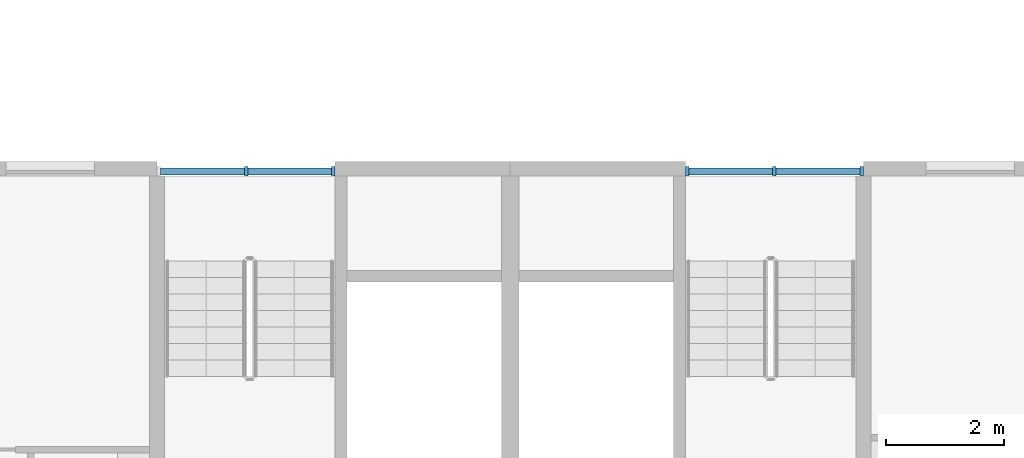
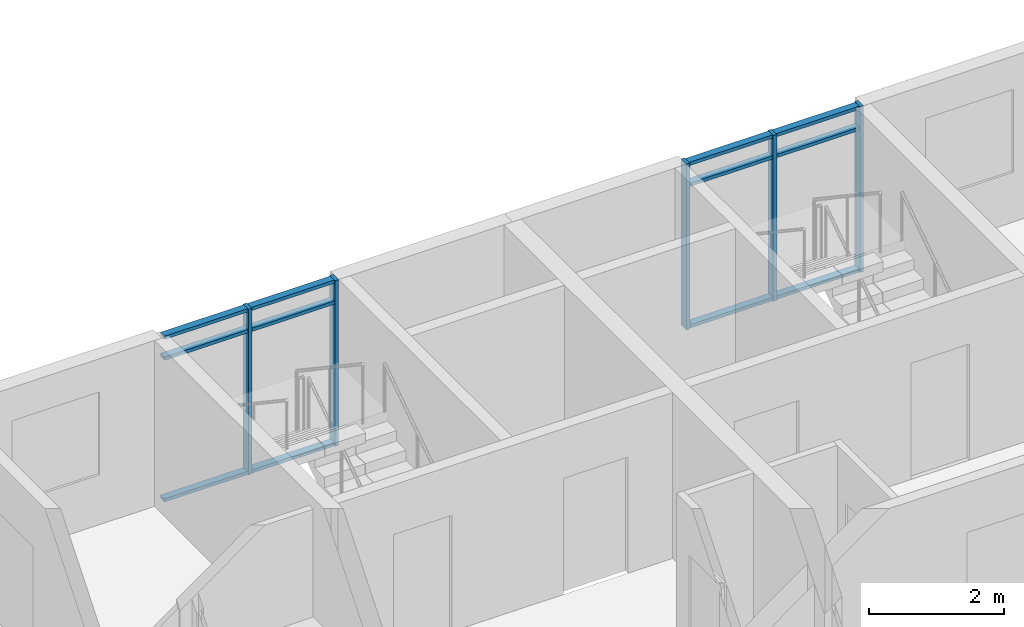
# One storey, part 22 of 94: 17 members, 2 elements without a shape of their own.
"""IFC4 building model written with IfcOpenShell, lengths in metres."""

from ifc_helpers import new_model, si_unit, direction, frame, origin, origin_2d, place, context, subcontext, project, spatial, rectangle, extrude, material, material_profile, profile_set, type_object, element, aggregate, save


model = new_model("IFC4")

# Units and contexts
model_context = context("Model", 3, precision=1e-05, world=origin(), true_north=direction((0.0, 1.0)))
body_context = subcontext(model_context, "Body", "Model", "MODEL_VIEW")
ifc_project = project(units=[si_unit("LENGTHUNIT", "METRE"), si_unit("AREAUNIT", "SQUARE_METRE"), si_unit("VOLUMEUNIT", "CUBIC_METRE"), si_unit("PLANEANGLEUNIT", "RADIAN"), si_unit("MASSUNIT", "GRAM", prefix="KILO")], contexts=[model_context])

# Site, building, storey
site_placement = place(None, origin())
site = spatial("IfcSite", under=ifc_project, at=site_placement, CompositionType="ELEMENT")
building_placement = place(site_placement, origin())
building = spatial("IfcBuilding", under=site, at=building_placement, Name="Ridgestep Commons", CompositionType="ELEMENT")
storey_placement = place(building_placement, frame((0.0, 0.0, 21.0)))
storey = spatial("IfcBuildingStorey", under=building, at=storey_placement, Name="L07", CompositionType="ELEMENT", Elevation=21.0)

# Curtain wall, members
ifc_material_1 = material(Name="Aluminium 6063-T6 and glass", Category="aluminium")
curtain_wall_type = type_object("IfcCurtainWallType", Name="Curtain wall stair strip", PredefinedType="NOTDEFINED", material=ifc_material_1)
curtain_wall_1_placement = place(storey_placement, origin())
curtain_wall_1 = element("IfcCurtainWall", 1, at=curtain_wall_1_placement, inside=storey, type_object=curtain_wall_type, Name="Curtain wall C5C level 07", PredefinedType="NOTDEFINED")
ifc_material_2 = material(Name="Aluminium 6063-T6", Category="aluminium")
ifc_material_profile_1 = material_profile(ifc_material_2, rectangle(XDim=0.159912109375, YDim=0.06005859375, at=origin_2d()), Name="Mullion 60 x 160")
ifc_profile_set_1 = profile_set([ifc_material_profile_1], Name="Aluminium 6063-T6")
member_type_1 = type_object("IfcMemberType", Name="Mullion 60 x 160", PredefinedType="MULLION", material=ifc_profile_set_1)
member_1_placement = place(storey_placement, frame((226.3125, 77.080078125, 0.0), z_axis=(0.0, 0.0, 1.0), x_axis=(0.0, 1.0, 0.0)))
member_1 = element("IfcMember", 2, at=member_1_placement, type_object=member_type_1, Name="CW1 mullion 2", PredefinedType="MULLION", context=body_context, shape_type="SweptSolid", body=[
    extrude(rectangle(XDim=0.159912109375, YDim=0.06005859375, at=origin_2d()), origin(), (0.0, 0.0, 1.0), 3.0),
])
member_2_placement = place(storey_placement, frame((227.794921875, 77.080078125, 0.0), z_axis=(0.0, 0.0, 1.0), x_axis=(0.0, 1.0, 0.0)))
member_2 = element("IfcMember", 3, at=member_2_placement, type_object=member_type_1, Name="CW1 mullion 3", PredefinedType="MULLION", context=body_context, shape_type="SweptSolid", body=[
    extrude(rectangle(XDim=0.159912109375, YDim=0.06005859375, at=origin_2d()), origin(), (0.0, 0.0, 1.0), 3.0),
])

curtain_wall_2_placement = place(storey_placement, origin())
curtain_wall_2 = element("IfcCurtainWall", 4, at=curtain_wall_2_placement, inside=storey, type_object=curtain_wall_type, Name="Curtain wall C6C level 07", PredefinedType="NOTDEFINED")
member_3_placement = place(storey_placement, frame((233.804931640625, 77.080078125, 0.0), z_axis=(0.0, 0.0, 1.0), x_axis=(0.0, 1.0, 0.0)))
member_3 = element("IfcMember", 5, at=member_3_placement, type_object=member_type_1, Name="CW1 mullion 1", PredefinedType="MULLION", context=body_context, shape_type="SweptSolid", body=[
    extrude(rectangle(XDim=0.159912109375, YDim=0.06005859375, at=origin_2d()), origin(), (0.0, 0.0, 1.0), 3.0),
])
member_4_placement = place(storey_placement, frame((235.28759765625, 77.080078125, 0.0), z_axis=(0.0, 0.0, 1.0), x_axis=(0.0, 1.0, 0.0)))
member_4 = element("IfcMember", 6, at=member_4_placement, type_object=member_type_1, Name="CW1 mullion 2", PredefinedType="MULLION", context=body_context, shape_type="SweptSolid", body=[
    extrude(rectangle(XDim=0.159912109375, YDim=0.06005859375, at=origin_2d()), origin(), (0.0, 0.0, 1.0), 3.0),
])
member_5_placement = place(storey_placement, frame((236.77001953125, 77.080078125, 0.0), z_axis=(0.0, 0.0, 1.0), x_axis=(0.0, 1.0, 0.0)))
member_5 = element("IfcMember", 7, at=member_5_placement, type_object=member_type_1, Name="CW1 mullion 3", PredefinedType="MULLION", context=body_context, shape_type="SweptSolid", body=[
    extrude(rectangle(XDim=0.159912109375, YDim=0.06005859375, at=origin_2d()), origin(), (0.0, 0.0, 1.0), 3.0),
])

# Member
ifc_material_3 = material(Name="Aluminium 6063-T6", Category="aluminium")
ifc_material_profile_2 = material_profile(ifc_material_3, rectangle(XDim=0.1201171875, YDim=0.06005859375, at=origin_2d()), Name="Transom 60 x 120")
ifc_profile_set_2 = profile_set([ifc_material_profile_2], Name="Aluminium 6063-T6")
member_type_2 = type_object("IfcMemberType", Name="Transom 60 x 120", PredefinedType="USERDEFINED", material=ifc_profile_set_2)
member_6_placement = place(storey_placement, frame((224.860107421875, 77.080078125, 0.030029296875), z_axis=(1.0, 0.0, 0.0), x_axis=(0.0, 1.0, 0.0)))
member_6 = element("IfcMember", 8, at=member_6_placement, type_object=member_type_2, Name="CW1 transom 1.1", ObjectType="TRANSOM", PredefinedType="USERDEFINED", context=body_context, shape_type="SweptSolid", body=[
    extrude(rectangle(XDim=0.1201171875, YDim=0.06005859375, at=origin_2d()), origin(), (0.0, 0.0, 1.0), 1.42236328125),
])

member_7_placement = place(storey_placement, frame((224.860107421875, 77.080078125, 2.590087890625), z_axis=(1.0, 0.0, 0.0), x_axis=(0.0, 1.0, 0.0)))
member_7 = element("IfcMember", 9, at=member_7_placement, type_object=member_type_2, Name="CW1 transom 1.2", ObjectType="TRANSOM", PredefinedType="USERDEFINED", context=body_context, shape_type="SweptSolid", body=[
    extrude(rectangle(XDim=0.1201171875, YDim=0.06005859375, at=origin_2d()), origin(), (0.0, 0.0, 1.0), 1.42236328125),
])

member_8_placement = place(storey_placement, frame((224.860107421875, 77.080078125, 2.969970703125), z_axis=(1.0, 0.0, 0.0), x_axis=(0.0, 1.0, 0.0)))
member_8 = element("IfcMember", 10, at=member_8_placement, type_object=member_type_2, Name="CW1 transom 1.3", ObjectType="TRANSOM", PredefinedType="USERDEFINED", context=body_context, shape_type="SweptSolid", body=[
    extrude(rectangle(XDim=0.1201171875, YDim=0.06005859375, at=origin_2d()), origin(), (0.0, 0.0, 1.0), 1.42236328125),
])

member_9_placement = place(storey_placement, frame((226.342529296875, 77.080078125, 0.030029296875), z_axis=(1.0, 0.0, 0.0), x_axis=(0.0, 1.0, 0.0)))
member_9 = element("IfcMember", 11, at=member_9_placement, type_object=member_type_2, Name="CW1 transom 2.1", ObjectType="TRANSOM", PredefinedType="USERDEFINED", context=body_context, shape_type="SweptSolid", body=[
    extrude(rectangle(XDim=0.1201171875, YDim=0.06005859375, at=origin_2d()), origin(), (0.0, 0.0, 1.0), 1.42236328125),
])

member_10_placement = place(storey_placement, frame((226.342529296875, 77.080078125, 2.590087890625), z_axis=(1.0, 0.0, 0.0), x_axis=(0.0, 1.0, 0.0)))
member_10 = element("IfcMember", 12, at=member_10_placement, type_object=member_type_2, Name="CW1 transom 2.2", ObjectType="TRANSOM", PredefinedType="USERDEFINED", context=body_context, shape_type="SweptSolid", body=[
    extrude(rectangle(XDim=0.1201171875, YDim=0.06005859375, at=origin_2d()), origin(), (0.0, 0.0, 1.0), 1.42236328125),
])

member_11_placement = place(storey_placement, frame((226.342529296875, 77.080078125, 2.969970703125), z_axis=(1.0, 0.0, 0.0), x_axis=(0.0, 1.0, 0.0)))
member_11 = element("IfcMember", 13, at=member_11_placement, type_object=member_type_2, Name="CW1 transom 2.3", ObjectType="TRANSOM", PredefinedType="USERDEFINED", context=body_context, shape_type="SweptSolid", body=[
    extrude(rectangle(XDim=0.1201171875, YDim=0.06005859375, at=origin_2d()), origin(), (0.0, 0.0, 1.0), 1.42236328125),
])

aggregate(curtain_wall_1, [member_1, member_2, member_6, member_7, member_8, member_9, member_10, member_11])

member_12_placement = place(storey_placement, frame((233.8349609375, 77.080078125, 0.030029296875), z_axis=(1.0, 0.0, 0.0), x_axis=(0.0, 1.0, 0.0)))
member_12 = element("IfcMember", 14, at=member_12_placement, type_object=member_type_2, Name="CW1 transom 1.1", ObjectType="TRANSOM", PredefinedType="USERDEFINED", context=body_context, shape_type="SweptSolid", body=[
    extrude(rectangle(XDim=0.1201171875, YDim=0.06005859375, at=origin_2d()), origin(), (0.0, 0.0, 1.0), 1.422607421875),
])

member_13_placement = place(storey_placement, frame((233.8349609375, 77.080078125, 2.590087890625), z_axis=(1.0, 0.0, 0.0), x_axis=(0.0, 1.0, 0.0)))
member_13 = element("IfcMember", 15, at=member_13_placement, type_object=member_type_2, Name="CW1 transom 1.2", ObjectType="TRANSOM", PredefinedType="USERDEFINED", context=body_context, shape_type="SweptSolid", body=[
    extrude(rectangle(XDim=0.1201171875, YDim=0.06005859375, at=origin_2d()), origin(), (0.0, 0.0, 1.0), 1.422607421875),
])

member_14_placement = place(storey_placement, frame((233.8349609375, 77.080078125, 2.969970703125), z_axis=(1.0, 0.0, 0.0), x_axis=(0.0, 1.0, 0.0)))
member_14 = element("IfcMember", 16, at=member_14_placement, type_object=member_type_2, Name="CW1 transom 1.3", ObjectType="TRANSOM", PredefinedType="USERDEFINED", context=body_context, shape_type="SweptSolid", body=[
    extrude(rectangle(XDim=0.1201171875, YDim=0.06005859375, at=origin_2d()), origin(), (0.0, 0.0, 1.0), 1.422607421875),
])

member_15_placement = place(storey_placement, frame((235.3173828125, 77.080078125, 0.030029296875), z_axis=(1.0, 0.0, 0.0), x_axis=(0.0, 1.0, 0.0)))
member_15 = element("IfcMember", 17, at=member_15_placement, type_object=member_type_2, Name="CW1 transom 2.1", ObjectType="TRANSOM", PredefinedType="USERDEFINED", context=body_context, shape_type="SweptSolid", body=[
    extrude(rectangle(XDim=0.1201171875, YDim=0.06005859375, at=origin_2d()), origin(), (0.0, 0.0, 1.0), 1.422607421875),
])

member_16_placement = place(storey_placement, frame((235.3173828125, 77.080078125, 2.590087890625), z_axis=(1.0, 0.0, 0.0), x_axis=(0.0, 1.0, 0.0)))
member_16 = element("IfcMember", 18, at=member_16_placement, type_object=member_type_2, Name="CW1 transom 2.2", ObjectType="TRANSOM", PredefinedType="USERDEFINED", context=body_context, shape_type="SweptSolid", body=[
    extrude(rectangle(XDim=0.1201171875, YDim=0.06005859375, at=origin_2d()), origin(), (0.0, 0.0, 1.0), 1.422607421875),
])

member_17_placement = place(storey_placement, frame((235.3173828125, 77.080078125, 2.969970703125), z_axis=(1.0, 0.0, 0.0), x_axis=(0.0, 1.0, 0.0)))
member_17 = element("IfcMember", 19, at=member_17_placement, type_object=member_type_2, Name="CW1 transom 2.3", ObjectType="TRANSOM", PredefinedType="USERDEFINED", context=body_context, shape_type="SweptSolid", body=[
    extrude(rectangle(XDim=0.1201171875, YDim=0.06005859375, at=origin_2d()), origin(), (0.0, 0.0, 1.0), 1.422607421875),
])

aggregate(curtain_wall_2, [member_3, member_4, member_5, member_12, member_13, member_14, member_15, member_16, member_17])

save(model, "model.ifc")
